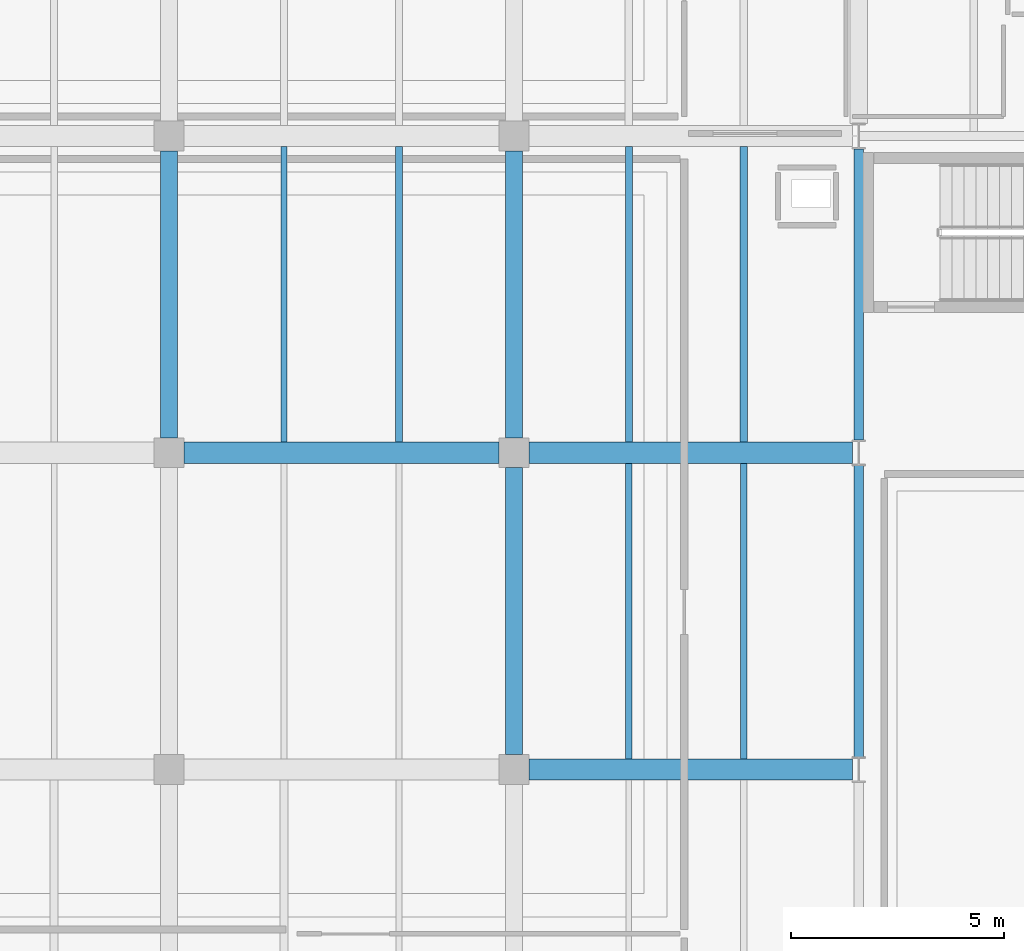
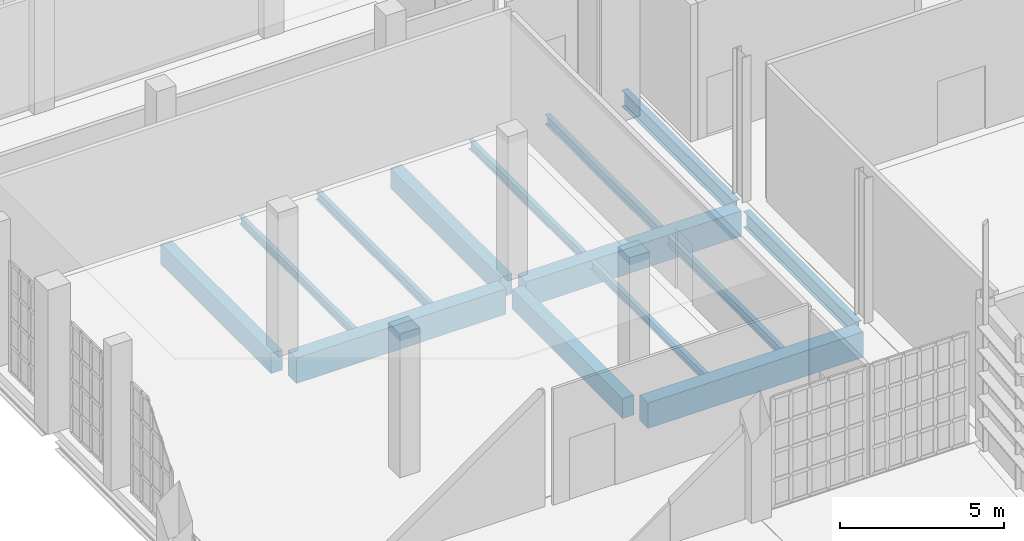
# One storey, part 245 of 372: 14 beams.
"""IFC4 building model written with IfcOpenShell, lengths in metres."""

from ifc_helpers import new_model, si_unit, direction, frame, origin, origin_2d, place, context, subcontext, project, spatial, rectangle, i_section, extrude, material, material_profile, profile_set, type_object, element, save


model = new_model("IFC4")

# Units and contexts
model_context = context("Model", 3, precision=1e-05, world=origin(), true_north=direction((0.0, 1.0)))
body_context = subcontext(model_context, "Body", "Model", "MODEL_VIEW")
ifc_project = project(units=[si_unit("LENGTHUNIT", "METRE"), si_unit("AREAUNIT", "SQUARE_METRE"), si_unit("VOLUMEUNIT", "CUBIC_METRE"), si_unit("PLANEANGLEUNIT", "RADIAN"), si_unit("MASSUNIT", "GRAM", prefix="KILO")], contexts=[model_context])

# Site, building, storey
site_placement = place(None, origin())
site = spatial("IfcSite", under=ifc_project, at=site_placement, CompositionType="ELEMENT")
building_placement = place(site_placement, origin())
building = spatial("IfcBuilding", under=site, at=building_placement, Name="Kaelora Sail Theatre", CompositionType="ELEMENT")
storey_placement = place(building_placement, origin())
storey = spatial("IfcBuildingStorey", under=building, at=storey_placement, Name="L00", CompositionType="ELEMENT", Elevation=0.0)

# Beams
ifc_material_1 = material(Name="Steel S355", Category="steel")
ifc_material_profile_1 = material_profile(ifc_material_1, i_section(OverallWidth=0.219970703125, OverallDepth=0.60009765625, WebThickness=0.011962890625, FlangeThickness=0.01904296875, FilletRadius=0.02392578125, at=origin_2d()), Name="IPE 600")
ifc_profile_set_1 = profile_set([ifc_material_profile_1], Name="Steel S355")
beam_type_1 = type_object("IfcBeamType", Name="STR-BM-BM-IPE600", PredefinedType="USERDEFINED", material=ifc_profile_set_1)
for number, where, z_axis, x_axis, name in (
    (1, (25.800048828125, 68.760009765625, -0.6201171875), (0.0, 1.0, 0.0), (-1.0, 0.0, 0.0), "Primary beam 4 J-K (L00)"),
    (2, (25.800048828125, 76.199951171875, -0.6201171875), (0.0, 1.0, 0.0), (-1.0, 0.0, 0.0), "Primary beam 4 K-L (L00)"),
):
    element("IfcBeam", number, at=place(storey_placement, frame(where, z_axis=z_axis, x_axis=x_axis)), inside=storey, type_object=beam_type_1, Name=name, ObjectType="GIRDER", PredefinedType="USERDEFINED", context=body_context, shape_type="SweptSolid", body=[
        extrude(i_section(OverallWidth=0.219970703125, OverallDepth=0.60009765625, WebThickness=0.011962890625, FlangeThickness=0.01904296875, FilletRadius=0.02392578125, at=origin_2d()), origin(), (0.0, 0.0, 1.0), 6.840087890625),
    ])
ifc_material_2 = material(Name="Concrete C40/50", Category="concrete")
ifc_material_profile_2 = material_profile(ifc_material_2, rectangle(XDim=0.39990234375, YDim=0.75, at=origin_2d()), Name="RC-BM 400x750")
ifc_profile_set_2 = profile_set([ifc_material_profile_2], Name="Concrete C40/50")
beam_type_2 = type_object("IfcBeamType", Name="STR-BM-BM-RC4075", PredefinedType="BEAM", material=ifc_profile_set_2)
for number, where, z_axis, x_axis, name in (
    (3, (9.60009765625, 76.25, -0.695068359375), (0.0, 1.0, 0.0), (-1.0, 0.0, 0.0), "Primary beam 2 K-L (L00)"),
    (4, (17.699951171875, 68.81005859375, -0.695068359375), (0.0, 1.0, 0.0), (-1.0, 0.0, 0.0), "Primary beam 3 J-K (L00)"),
    (5, (17.699951171875, 76.25, -0.695068359375), (0.0, 1.0, 0.0), (-1.0, 0.0, 0.0), "Primary beam 3 K-L (L00)"),
):
    element("IfcBeam", number, at=place(storey_placement, frame(where, z_axis=z_axis, x_axis=x_axis)), inside=storey, type_object=beam_type_2, Name=name, PredefinedType="BEAM", context=body_context, shape_type="SweptSolid", body=[
        extrude(rectangle(XDim=0.39990234375, YDim=0.75, at=origin_2d()), origin(), (0.0, 0.0, 1.0), 6.739990234375),
    ])
ifc_material_3 = material(Name="Concrete C45/55", Category="concrete")
ifc_material_profile_3 = material_profile(ifc_material_3, rectangle(XDim=0.5, YDim=0.949951171875, at=origin_2d()), Name="RC-GRD 500x950")
ifc_profile_set_3 = profile_set([ifc_material_profile_3], Name="Concrete C45/55")
beam_type_3 = type_object("IfcBeamType", Name="STR-BM-GR-RC5095", PredefinedType="T_BEAM", material=ifc_profile_set_3)
beam_1_placement = place(storey_placement, frame((9.949951171875, 75.89990234375, -0.794921875), z_axis=(1.0, 0.0, 0.0), x_axis=(0.0, 1.0, 0.0)))
element("IfcBeam", 6, at=beam_1_placement, inside=storey, type_object=beam_type_3, Name="Primary beam K 2-3 (L00)", PredefinedType="T_BEAM", context=body_context, shape_type="SweptSolid", body=[
    extrude(rectangle(XDim=0.5, YDim=0.949951171875, at=origin_2d()), origin(), (0.0, 0.0, 1.0), 7.400146484375),
])
for number, where, z_axis, x_axis, name in (
    (7, (18.050048828125, 68.4599609375, -0.794921875), (1.0, 0.0, 0.0), (0.0, 1.0, 0.0), "Primary beam J 3-4 (L00)"),
    (8, (18.050048828125, 75.89990234375, -0.794921875), (1.0, 0.0, 0.0), (0.0, 1.0, 0.0), "Primary beam K 3-4 (L00)"),
):
    element("IfcBeam", number, at=place(storey_placement, frame(where, z_axis=z_axis, x_axis=x_axis)), inside=storey, type_object=beam_type_3, Name=name, PredefinedType="T_BEAM", context=body_context, shape_type="SweptSolid", body=[
        extrude(rectangle(XDim=0.5, YDim=0.949951171875, at=origin_2d()), origin(), (0.0, 0.0, 1.0), 7.599853515625),
    ])
ifc_material_4 = material(Name="Steel S355", Category="steel")
ifc_material_profile_4 = material_profile(ifc_material_4, i_section(OverallWidth=0.14990234375, OverallDepth=0.300048828125, WebThickness=0.007080078125, FlangeThickness=0.0107421875, FilletRadius=0.014892578125, at=origin_2d()), Name="IPE 300")
ifc_profile_set_4 = profile_set([ifc_material_profile_4], Name="Steel S355")
beam_type_4 = type_object("IfcBeamType", Name="STR-BM-JS-IPE300", PredefinedType="JOIST", material=ifc_profile_set_4)
beam_2_placement = place(storey_placement, frame((12.300048828125, 76.14990234375, -0.469970703125), z_axis=(0.0, 1.0, 0.0), x_axis=(-1.0, 0.0, 0.0)))
element("IfcBeam", 9, at=beam_2_placement, inside=storey, type_object=beam_type_4, Name="Secondary floor joist 2/K-1 (L00)", PredefinedType="JOIST", context=body_context, shape_type="SweptSolid", body=[
    extrude(i_section(OverallWidth=0.14990234375, OverallDepth=0.300048828125, WebThickness=0.007080078125, FlangeThickness=0.0107421875, FilletRadius=0.014892578125, at=origin_2d()), origin(), (0.0, 0.0, 1.0), 6.940185546875),
])
beam_3_placement = place(storey_placement, frame((20.39990234375, 68.7099609375, -0.469970703125), z_axis=(0.0, 1.0, 0.0), x_axis=(-1.0, 0.0, 0.0)))
element("IfcBeam", 10, at=beam_3_placement, inside=storey, type_object=beam_type_4, Name="Secondary floor joist 3/J-1 (L00)", PredefinedType="JOIST", context=body_context, shape_type="SweptSolid", body=[
    extrude(i_section(OverallWidth=0.14990234375, OverallDepth=0.300048828125, WebThickness=0.007080078125, FlangeThickness=0.0107421875, FilletRadius=0.014892578125, at=origin_2d()), origin(), (0.0, 0.0, 1.0), 6.93994140625),
])
ifc_material_5 = material(Name="Steel S355", Category="steel")
ifc_material_profile_5 = material_profile(ifc_material_5, i_section(OverallWidth=0.159912109375, OverallDepth=0.330078125, WebThickness=0.007568359375, FlangeThickness=0.011474609375, FilletRadius=0.01806640625, at=origin_2d()), Name="IPE 330")
ifc_profile_set_5 = profile_set([ifc_material_profile_5], Name="Steel S355")
beam_type_5 = type_object("IfcBeamType", Name="STR-BM-JS-IPE330", PredefinedType="JOIST", material=ifc_profile_set_5)
beam_4_placement = place(storey_placement, frame((15.0, 76.14990234375, -0.485107421875), z_axis=(0.0, 1.0, 0.0), x_axis=(-1.0, 0.0, 0.0)))
element("IfcBeam", 11, at=beam_4_placement, inside=storey, type_object=beam_type_5, Name="Secondary floor joist 2/K-2 (L00)", PredefinedType="JOIST", context=body_context, shape_type="SweptSolid", body=[
    extrude(i_section(OverallWidth=0.159912109375, OverallDepth=0.330078125, WebThickness=0.007568359375, FlangeThickness=0.011474609375, FilletRadius=0.01806640625, at=origin_2d()), origin(), (0.0, 0.0, 1.0), 6.940185546875),
])
beam_5_placement = place(storey_placement, frame((23.10009765625, 68.7099609375, -0.485107421875), z_axis=(0.0, 1.0, 0.0), x_axis=(-1.0, 0.0, 0.0)))
element("IfcBeam", 12, at=beam_5_placement, inside=storey, type_object=beam_type_5, Name="Secondary floor joist 3/J-2 (L00)", PredefinedType="JOIST", context=body_context, shape_type="SweptSolid", body=[
    extrude(i_section(OverallWidth=0.159912109375, OverallDepth=0.330078125, WebThickness=0.007568359375, FlangeThickness=0.011474609375, FilletRadius=0.01806640625, at=origin_2d()), origin(), (0.0, 0.0, 1.0), 6.93994140625),
])
beam_6_placement = place(storey_placement, frame((20.39990234375, 76.14990234375, -0.485107421875), z_axis=(0.0, 1.0, 0.0), x_axis=(-1.0, 0.0, 0.0)))
element("IfcBeam", 13, at=beam_6_placement, inside=storey, type_object=beam_type_5, Name="Secondary floor joist 3/K-1 (L00)", PredefinedType="JOIST", context=body_context, shape_type="SweptSolid", body=[
    extrude(i_section(OverallWidth=0.159912109375, OverallDepth=0.330078125, WebThickness=0.007568359375, FlangeThickness=0.011474609375, FilletRadius=0.01806640625, at=origin_2d()), origin(), (0.0, 0.0, 1.0), 6.940185546875),
])
ifc_material_6 = material(Name="Steel S355", Category="steel")
ifc_material_profile_6 = material_profile(ifc_material_6, i_section(OverallWidth=0.169921875, OverallDepth=0.360107421875, WebThickness=0.008056640625, FlangeThickness=0.0126953125, FilletRadius=0.01806640625, at=origin_2d()), Name="IPE 360")
ifc_profile_set_6 = profile_set([ifc_material_profile_6], Name="Steel S355")
beam_type_6 = type_object("IfcBeamType", Name="STR-BM-JS-IPE360", PredefinedType="JOIST", material=ifc_profile_set_6)
beam_7_placement = place(storey_placement, frame((23.10009765625, 76.14990234375, -0.5), z_axis=(0.0, 1.0, 0.0), x_axis=(-1.0, 0.0, 0.0)))
element("IfcBeam", 14, at=beam_7_placement, inside=storey, type_object=beam_type_6, Name="Secondary floor joist 3/K-2 (L00)", PredefinedType="JOIST", context=body_context, shape_type="SweptSolid", body=[
    extrude(i_section(OverallWidth=0.169921875, OverallDepth=0.360107421875, WebThickness=0.008056640625, FlangeThickness=0.0126953125, FilletRadius=0.01806640625, at=origin_2d()), origin(), (0.0, 0.0, 1.0), 6.940185546875),
])

save(model, "model.ifc")
